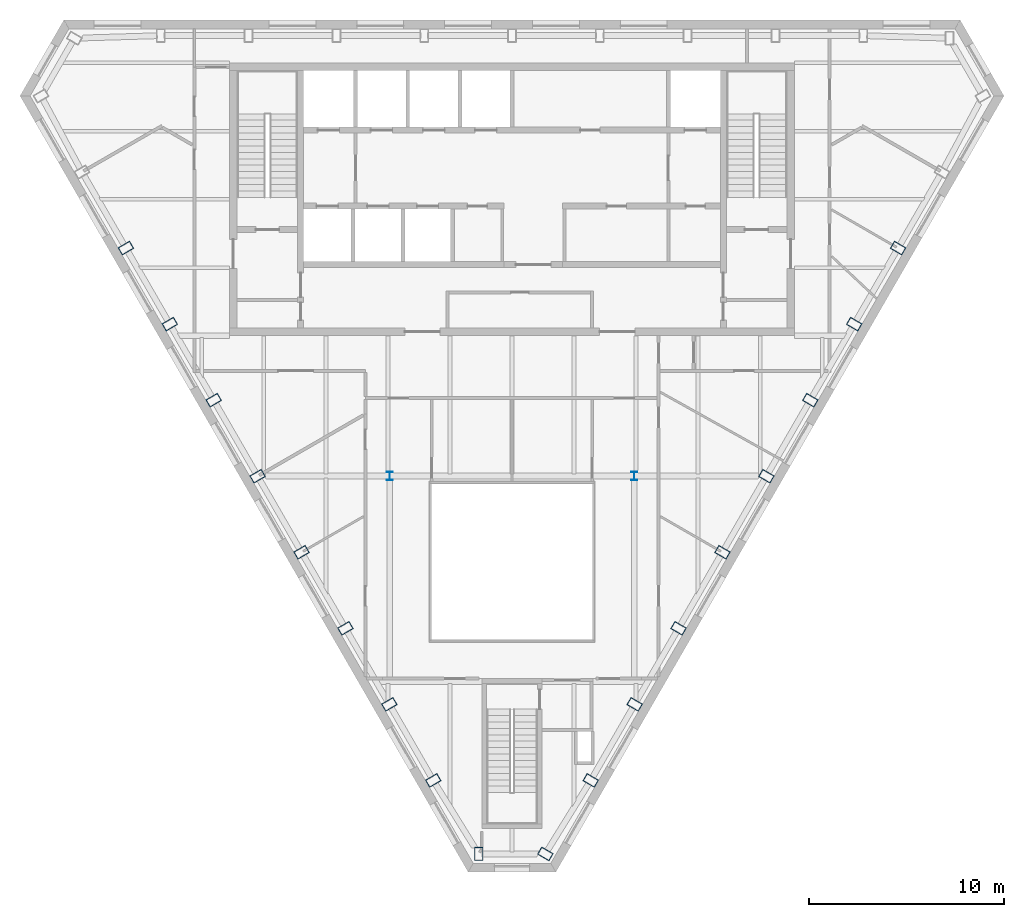
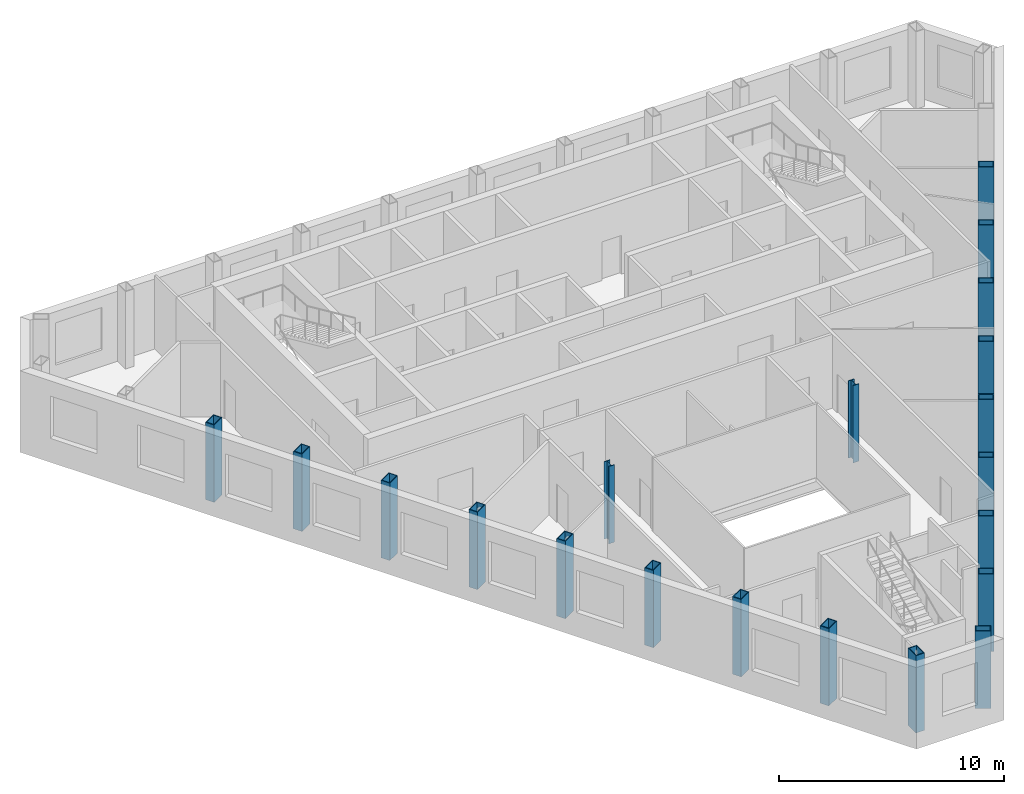
# One storey, part 1 of 11: 20 columns.
"""IFC4 building model written with IfcOpenShell, lengths in metres."""

import ifcopenshell
import ifcopenshell.guid

model = None  # the IFC model being written
_history = None  # IfcOwnerHistory: only IFC2X3 demands one
_inside = {}  # id of a spatial element -> (the spatial element, [elements in it])
_under = {}  # id of a project, library or spatial element -> (it, [spatial elements below it])
_declared = {}  # id of a project -> (the project, [libraries it declares])
_typed = {}  # id of a type object -> (the type object, [elements of that type])
_made_of = {}  # id of a material, layer set ... -> (it, [elements and type objects made of it])


def new_model(schema):
    """Start an empty IFC model of exactly this schema.

    Asked for "IFC4X3", IfcOpenShell would pick the latest addendum, in which some entities
    have other attributes; the version numbers below select the first issue.
    IFC2X3 requires an IfcOwnerHistory on every rooted entity: one is made here for all.
    """
    global model, _history
    if schema == "IFC4X3":
        model = ifcopenshell.file(schema_version=(4, 3, 0, 0))
    else:
        model = ifcopenshell.file(schema=schema)
    _inside.clear()
    _under.clear()
    _declared.clear()
    _typed.clear()
    _made_of.clear()
    _history = None
    if model.schema == "IFC2X3":
        org = make("IfcOrganization", Name="unknown")
        user = make(
            "IfcPersonAndOrganization",
            ThePerson=make("IfcPerson", FamilyName="unknown"),
            TheOrganization=org,
        )
        app = make(
            "IfcApplication",
            ApplicationDeveloper=org,
            Version="unknown",
            ApplicationFullName="unknown",
            ApplicationIdentifier="unknown",
        )
        _history = make(
            "IfcOwnerHistory",
            OwningUser=user,
            OwningApplication=app,
            ChangeAction="ADDED",
            CreationDate=0,
        )
    return model


def make(cls, **values):
    """One entity of the class cls with the attributes given. An attribute that is None is left unset."""
    return model.create_entity(
        cls, **{name: value for name, value in values.items() if value is not None}
    )


def rooted(cls, **values):
    """An entity with a GlobalId (a new one), such as an element, a storey or a relation."""
    return make(cls, GlobalId=ifcopenshell.guid.new(), OwnerHistory=_history, **values)


def si_unit(unit_type, name, prefix=None):
    """IfcSIUnit, for example si_unit("LENGTHUNIT", "METRE", prefix="MILLI")."""
    return make("IfcSIUnit", UnitType=unit_type, Prefix=prefix, Name=name)


def assignment(units):
    """IfcUnitAssignment: the units of a project."""
    return None if units is None else make("IfcUnitAssignment", Units=units)


def point(xyz):
    """IfcCartesianPoint."""
    return None if xyz is None else make("IfcCartesianPoint", Coordinates=xyz)


def direction(xyz):
    """IfcDirection."""
    return None if xyz is None else make("IfcDirection", DirectionRatios=xyz)


def frame(location, z_axis=None, x_axis=None):
    """IfcAxis2Placement3D, a coordinate frame: its origin and axes. An axis left out is left unset."""
    return make(
        "IfcAxis2Placement3D",
        Location=point(location),
        Axis=direction(z_axis),
        RefDirection=direction(x_axis),
    )


def frame_2d(location, x_axis=None):
    """IfcAxis2Placement2D, a coordinate frame in the plane: its origin and x axis."""
    return make(
        "IfcAxis2Placement2D", Location=point(location), RefDirection=direction(x_axis)
    )


def origin():
    """The frame at (0, 0, 0) with its axes left unset."""
    return frame((0.0, 0.0, 0.0))


def origin_2d():
    """The frame at (0, 0) in the plane with its x axis left unset."""
    return frame_2d((0.0, 0.0))


def place(relative_to, where):
    """IfcLocalPlacement: puts the frame where relative to a parent placement (None: the world)."""
    return make(
        "IfcLocalPlacement", PlacementRelTo=relative_to, RelativePlacement=where
    )


def context(
    kind, dimensions, precision=None, world=None, true_north=None, identifier=None
):
    """IfcGeometricRepresentationContext, for example the 3D "Model" context."""
    return make(
        "IfcGeometricRepresentationContext",
        ContextIdentifier=identifier,
        ContextType=kind,
        CoordinateSpaceDimension=dimensions,
        Precision=precision,
        WorldCoordinateSystem=world,
        TrueNorth=true_north,
    )


def subcontext(parent, identifier, kind, view, scale=None):
    """IfcGeometricRepresentationSubContext, for example "Body" below "Model"."""
    return make(
        "IfcGeometricRepresentationSubContext",
        ContextIdentifier=identifier,
        ContextType=kind,
        ParentContext=parent,
        TargetScale=scale,
        TargetView=view,
    )


def project(units=None, contexts=None):
    """IfcProject with its units and contexts."""
    return rooted(
        "IfcProject",
        Name="project",
        RepresentationContexts=contexts,
        UnitsInContext=assignment(units),
    )


def spatial(cls, under=None, at=None, **own):
    """A site, building, storey or space (cls), placed at a placement, below another one or the project."""
    s = rooted(cls, ObjectPlacement=at, **own)
    if under is not None:
        _under.setdefault(under.id(), (under, []))[1].append(s)
    return s


def profile(cls, at=None, kind="AREA", **sizes):
    """A parametric profile (cls). Its sizes go by their IFC names, for example OverallWidth=200.0."""
    return make(cls, ProfileType=kind, Position=at, **sizes)


def hollow_rectangle(**sizes):
    """IfcRectangleHollowProfileDef."""
    return profile("IfcRectangleHollowProfileDef", **sizes)


def i_section(**sizes):
    """IfcIShapeProfileDef."""
    return profile("IfcIShapeProfileDef", **sizes)


def extrude(swept, where, along, depth):
    """IfcExtrudedAreaSolid: the profile swept, set in the frame where, extruded along a direction by depth."""
    return make(
        "IfcExtrudedAreaSolid",
        SweptArea=swept,
        Position=where,
        ExtrudedDirection=direction(along),
        Depth=depth,
    )


def shape(context_of_items, identifier, shape_type, items):
    """IfcShapeRepresentation: the items that make up one representation, for example the "Body"."""
    return make(
        "IfcShapeRepresentation",
        ContextOfItems=context_of_items,
        RepresentationIdentifier=identifier,
        RepresentationType=shape_type,
        Items=items,
    )


def material(Name=None, Category=None):
    """IfcMaterial."""
    return make("IfcMaterial", Name=Name, Category=Category)


def material_profile(
    of_material, cross_section, Name=None, Category=None, Priority=None
):
    """IfcMaterialProfile: a cross section and its material."""
    return make(
        "IfcMaterialProfile",
        Name=Name,
        Material=of_material,
        Profile=cross_section,
        Priority=Priority,
        Category=Category,
    )


def profile_set(profiles, Name=None, composite=None):
    """IfcMaterialProfileSet."""
    return make(
        "IfcMaterialProfileSet",
        Name=Name,
        MaterialProfiles=profiles,
        CompositeProfile=composite,
    )


def made_of(thing, what):
    """Note that an element or type object is made of a material, layer set ...; save() writes the relation."""
    if what is not None:
        _made_of.setdefault(what.id(), (what, []))[1].append(thing)
    return thing


def type_object(cls, material=None, **own):
    """A type object (cls), such as IfcWallType, which elements share."""
    return made_of(rooted(cls, **own), material)


def element(
    cls,
    number,
    at=None,
    inside=None,
    cuts=None,
    type_object=None,
    material=None,
    context=None,
    identifier="Body",
    shape_type=None,
    held_by="IfcProductDefinitionShape",
    body=None,
    shapes=None,
    **own,
):
    """One element of the class cls, such as IfcWall. Its Tag is "e" and its number.

    at: its placement. inside: the storey or other place that contains it. cuts: it is an
    opening in that element (IfcRelVoidsElement). A single representation is given by context,
    identifier, shape_type and body (its items); several are given by shapes. held_by: the class
    of the entity that holds the representations. save() writes the other relations.
    """
    e = rooted(cls, Tag="e%d" % number, ObjectPlacement=at, **own)
    if body is not None:
        shapes = [shape(context, identifier, shape_type, body)]
    if shapes is not None:
        e.Representation = make(held_by, Representations=shapes)
    if inside is not None:
        _inside.setdefault(inside.id(), (inside, []))[1].append(e)
    if cuts is not None:
        rooted(
            "IfcRelVoidsElement", RelatingBuildingElement=cuts, RelatedOpeningElement=e
        )
    if type_object is not None:
        _typed.setdefault(type_object.id(), (type_object, []))[1].append(e)
    return made_of(e, material)


def aggregate(whole, parts):
    """IfcRelAggregates: a whole, such as a stair, and the parts it consists of."""
    return rooted("IfcRelAggregates", RelatingObject=whole, RelatedObjects=parts)


def save(model, path):
    """Write the relations noted so far, then the file.

    IfcRelAggregates (storeys below a building ...), IfcRelContainedInSpatialStructure (elements
    in a storey), IfcRelDefinesByType, IfcRelAssociatesMaterial and IfcRelDeclares: one each for
    every whole, place, type object, material and project.
    """
    for whole, parts in _under.values():
        aggregate(whole, parts)
    for where, things in _inside.values():
        rooted(
            "IfcRelContainedInSpatialStructure",
            RelatedElements=things,
            RelatingStructure=where,
        )
    for kind, things in _typed.values():
        rooted("IfcRelDefinesByType", RelatedObjects=things, RelatingType=kind)
    for what, things in _made_of.values():
        rooted("IfcRelAssociatesMaterial", RelatedObjects=things, RelatingMaterial=what)
    for by, libraries in _declared.values():
        rooted("IfcRelDeclares", RelatingContext=by, RelatedDefinitions=libraries)
    model.write(path)


model = new_model("IFC4")

# Units and contexts
model_context = context("Model", 3, precision=1e-05, world=origin(), true_north=direction((0.0, 1.0)))
body_context = subcontext(model_context, "Body", "Model", "MODEL_VIEW")
ifc_project = project(units=[si_unit("LENGTHUNIT", "METRE"), si_unit("AREAUNIT", "SQUARE_METRE"), si_unit("VOLUMEUNIT", "CUBIC_METRE"), si_unit("PLANEANGLEUNIT", "RADIAN"), si_unit("MASSUNIT", "GRAM", prefix="KILO")], contexts=[model_context])

# Site, building, storey
site_placement = place(None, origin())
site = spatial("IfcSite", under=ifc_project, at=site_placement, CompositionType="ELEMENT")
building_placement = place(site_placement, origin())
building = spatial("IfcBuilding", under=site, at=building_placement, Name="Njiva Tower", CompositionType="ELEMENT")
storey_placement = place(building_placement, frame((0.0, 0.0, 316.8)))
storey = spatial("IfcBuildingStorey", under=building, at=storey_placement, Name="L72", CompositionType="ELEMENT", Elevation=316.8)

# Columns
ifc_material = material(Name="Steel S355 J2", Category="steel")
ifc_material_profile_1 = material_profile(ifc_material, hollow_rectangle(XDim=0.45, YDim=0.7, WallThickness=0.04, at=origin_2d()), Name="BOX 700x450x40")
ifc_profile_set_1 = profile_set([ifc_material_profile_1], Name="Steel S355 J2")
column_type_1 = type_object("IfcColumnType", Name="C15 Perimeter tube column BOX 700x450x40", PredefinedType="COLUMN", material=ifc_profile_set_1)
for number, where, z_axis, x_axis, name in (
    (1, (-19.815, 8.497, 0.0), (0.0, 0.0, 1.0), (0.5, -0.866025403784, 0.0), "Perimeter tube column S24-C14"),
    (2, (-17.561, 4.594, 0.0), (0.0, 0.0, 1.0), (0.5, -0.866025403784, 0.0), "Perimeter tube column S24-C15"),
    (3, (-15.308, 0.691, 0.0), (0.0, 0.0, 1.0), (0.5, -0.866025403784, 0.0), "Perimeter tube column S24-C16"),
    (4, (-13.055, -3.211, 0.0), (0.0, 0.0, 1.0), (0.5, -0.866025403784, 0.0), "Perimeter tube column S24-C17"),
    (5, (-10.801, -7.114, 0.0), (0.0, 0.0, 1.0), (0.5, -0.866025403784, 0.0), "Perimeter tube column S24-C18"),
    (6, (-8.548, -11.017, 0.0), (0.0, 0.0, 1.0), (0.5, -0.866025403784, 0.0), "Perimeter tube column S24-C19"),
    (7, (-6.295, -14.92, 0.0), (0.0, 0.0, 1.0), (0.5, -0.866025403784, 0.0), "Perimeter tube column S24-C20"),
    (8, (-4.041, -18.823, 0.0), (0.0, 0.0, 1.0), (0.5, -0.866025403784, 0.0), "Perimeter tube column S24-C21"),
    (9, (-1.711, -22.593, 0.0), (0.0, 0.0, 1.0), (1.0, 0.0, 0.0), "Perimeter tube column S24-C22"),
    (10, (1.711, -22.593, 0.0), (0.0, 0.0, 1.0), (0.5, 0.866025403784, 0.0), "Perimeter tube column S24-C23"),
    (11, (4.041, -18.823, 0.0), (0.0, 0.0, 1.0), (0.5, 0.866025403784, 0.0), "Perimeter tube column S24-C24"),
    (12, (6.295, -14.92, 0.0), (0.0, 0.0, 1.0), (0.5, 0.866025403784, 0.0), "Perimeter tube column S24-C25"),
    (13, (8.548, -11.017, 0.0), (0.0, 0.0, 1.0), (0.5, 0.866025403784, 0.0), "Perimeter tube column S24-C26"),
    (14, (10.801, -7.114, 0.0), (0.0, 0.0, 1.0), (0.5, 0.866025403784, 0.0), "Perimeter tube column S24-C27"),
    (15, (13.055, -3.211, 0.0), (0.0, 0.0, 1.0), (0.5, 0.866025403784, 0.0), "Perimeter tube column S24-C28"),
    (16, (15.308, 0.691, 0.0), (0.0, 0.0, 1.0), (0.5, 0.866025403784, 0.0), "Perimeter tube column S24-C29"),
    (17, (17.561, 4.594, 0.0), (0.0, 0.0, 1.0), (0.5, 0.866025403784, 0.0), "Perimeter tube column S24-C30"),
    (18, (19.815, 8.497, 0.0), (0.0, 0.0, 1.0), (0.5, 0.866025403784, 0.0), "Perimeter tube column S24-C31"),
):
    element("IfcColumn", number, at=place(storey_placement, frame(where, z_axis=z_axis, x_axis=x_axis)), inside=storey, type_object=column_type_1, Name=name, PredefinedType="COLUMN", context=body_context, shape_type="SweptSolid", body=[
        extrude(hollow_rectangle(XDim=0.45, YDim=0.7, WallThickness=0.04, at=origin_2d()), origin(), (0.0, 0.0, 1.0), 4.2),
    ])
ifc_material_profile_2 = material_profile(ifc_material, i_section(OverallWidth=0.3, OverallDepth=0.45, WebThickness=0.014, FlangeThickness=0.026, at=origin_2d()), Name="HEB 450")
ifc_profile_set_2 = profile_set([ifc_material_profile_2], Name="Steel S355 J2")
column_type_2 = type_object("IfcColumnType", Name="C16 Interior column HEB 450", PredefinedType="COLUMN", material=ifc_profile_set_2)
for number, where, z_axis, x_axis, name in (
    (19, (6.27, -3.2, 0.0), (0.0, 0.0, 1.0), (1.0, 0.0, 0.0), "Interior column S24-C34"),
    (20, (-6.27, -3.2, 0.0), (0.0, 0.0, 1.0), (1.0, 0.0, 0.0), "Interior column S24-C35"),
):
    element("IfcColumn", number, at=place(storey_placement, frame(where, z_axis=z_axis, x_axis=x_axis)), inside=storey, type_object=column_type_2, Name=name, PredefinedType="COLUMN", context=body_context, shape_type="SweptSolid", body=[
        extrude(i_section(OverallWidth=0.3, OverallDepth=0.45, WebThickness=0.014, FlangeThickness=0.026, at=origin_2d()), origin(), (0.0, 0.0, 1.0), 4.2),
    ])

save(model, "model.ifc")
